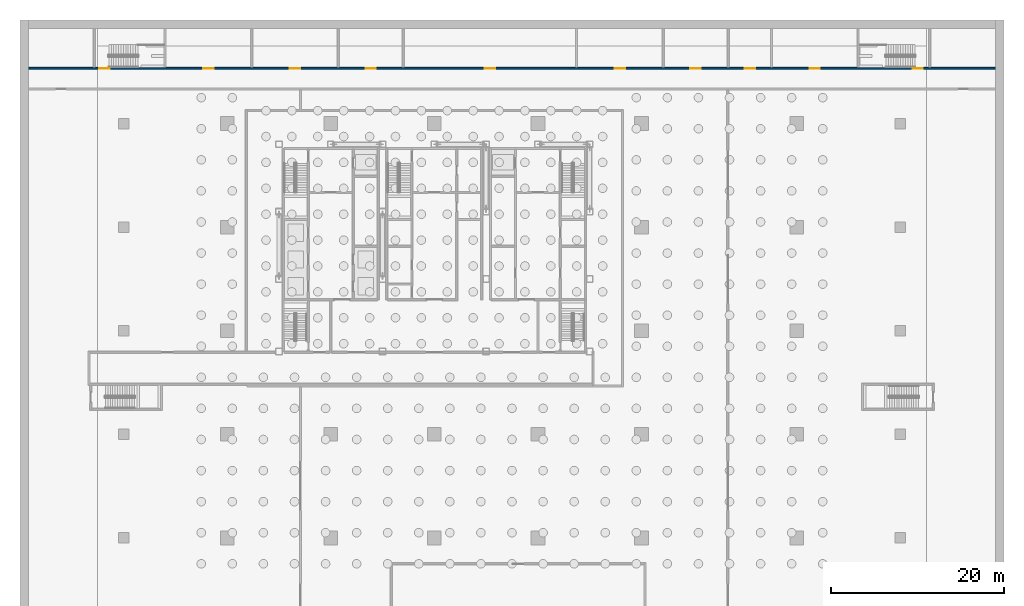
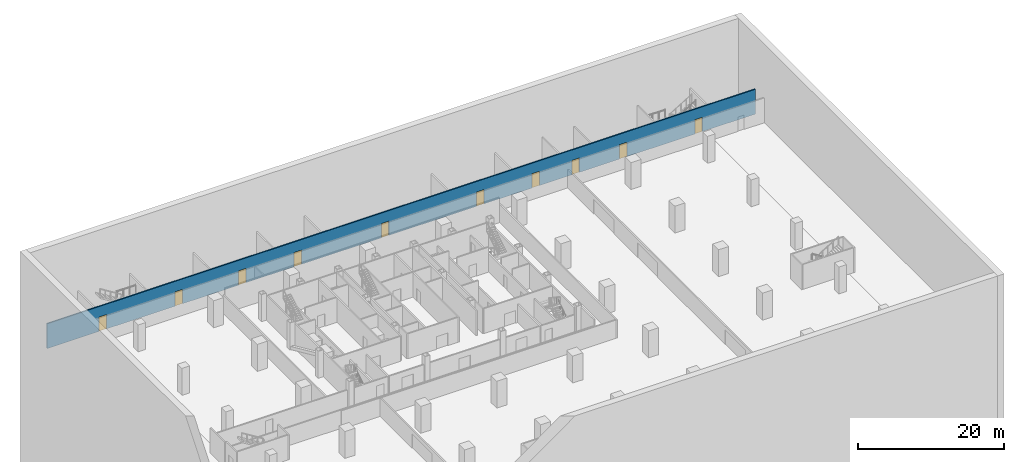
# One storey, part 12 of 18: 10 doors, 1 wall, 10 openings.
"""IFC4 building model written with IfcOpenShell, lengths in metres."""

from ifc_helpers import new_model, si_unit, direction, frame, frame_2d, origin, place, context, subcontext, project, spatial, rectangle, extrude, material, layer, layer_set, type_object, element, fill, save


model = new_model("IFC4")

# Units and contexts
model_context = context("Model", 3, precision=1e-05, world=origin(), true_north=direction((0.0, 1.0)))
body_context = subcontext(model_context, "Body", "Model", "MODEL_VIEW")
ifc_project = project(units=[si_unit("LENGTHUNIT", "METRE"), si_unit("AREAUNIT", "SQUARE_METRE"), si_unit("VOLUMEUNIT", "CUBIC_METRE"), si_unit("PLANEANGLEUNIT", "RADIAN"), si_unit("MASSUNIT", "GRAM", prefix="KILO")], contexts=[model_context])

# Site, building, storey
site_placement = place(None, origin())
site = spatial("IfcSite", under=ifc_project, at=site_placement, CompositionType="ELEMENT")
building_placement = place(site_placement, origin())
building = spatial("IfcBuilding", under=site, at=building_placement, Name="Sorahane Residences", CompositionType="ELEMENT")
storey_placement = place(building_placement, frame((0.0, 0.0, -13.5)))
storey = spatial("IfcBuildingStorey", under=building, at=storey_placement, Name="B3", CompositionType="ELEMENT", Elevation=-13.5)

# Wall, openings, doors
ifc_material_1 = material(Name="Concrete blockwork C20 wall", Category="masonry")
ifc_layer = layer(ifc_material_1, 0.199951171875)
ifc_layer_set = layer_set([ifc_layer], Name="Fire wall 200 EI 120")
wall_type = type_object("IfcWallType", Name="Fire wall 200 EI 120", PredefinedType="SOLIDWALL", material=ifc_layer_set)
wall_placement = place(storey_placement, frame((-23.0, 54.39990234375, 0.0), z_axis=(0.0, 0.0, 1.0), x_axis=(1.0, 0.0, 0.0)))
wall = element("IfcWall", 1, at=wall_placement, inside=storey, type_object=wall_type, Name="B3 fire wall", PredefinedType="SOLIDWALL", context=body_context, shape_type="SweptSolid", body=[
    extrude(rectangle(XDim=112.0, YDim=0.199951171875, at=frame_2d((56.0, 0.0))), origin(), (0.0, 0.0, 1.0), 4.14990234375),
])
opening_1_placement = place(wall_placement, frame((20.21875, 0.0, 0.0)))
opening_1 = element("IfcOpeningElement", 2, at=opening_1_placement, cuts=wall, Name="Opening B3-01", PredefinedType="OPENING", context=body_context, shape_type="SweptSolid", body=[
    extrude(rectangle(XDim=1.199951171875, YDim=2.39990234375, at=frame_2d((0.60009765625, 1.199951171875))), frame((0.0, 0.10986328125, 0.0), z_axis=(0.0, -1.0, 0.0), x_axis=(1.0, 0.0, 0.0)), (0.0, 0.0, 1.0), 0.219970703125),
])
opening_2_placement = place(wall_placement, frame((30.25634765625, 0.0, 0.0)))
opening_2 = element("IfcOpeningElement", 3, at=opening_2_placement, cuts=wall, Name="Opening B3-02", PredefinedType="OPENING", context=body_context, shape_type="SweptSolid", body=[
    extrude(rectangle(XDim=1.199951171875, YDim=2.39990234375, at=frame_2d((0.60009765625, 1.199951171875))), frame((0.0, 0.10986328125, 0.0), z_axis=(0.0, -1.0, 0.0), x_axis=(1.0, 0.0, 0.0)), (0.0, 0.0, 1.0), 0.219970703125),
])
opening_3_placement = place(wall_placement, frame((39.0390625, 0.0, 0.0)))
opening_3 = element("IfcOpeningElement", 4, at=opening_3_placement, cuts=wall, Name="Opening B3-03", PredefinedType="OPENING", context=body_context, shape_type="SweptSolid", body=[
    extrude(rectangle(XDim=1.199951171875, YDim=2.39990234375, at=frame_2d((0.60009765625, 1.199951171875))), frame((0.0, 0.10986328125, 0.0), z_axis=(0.0, -1.0, 0.0), x_axis=(1.0, 0.0, 0.0)), (0.0, 0.0, 1.0), 0.219970703125),
])
opening_4_placement = place(wall_placement, frame((52.840576171875, 0.0, 0.0)))
opening_4 = element("IfcOpeningElement", 5, at=opening_4_placement, cuts=wall, Name="Opening B3-04", PredefinedType="OPENING", context=body_context, shape_type="SweptSolid", body=[
    extrude(rectangle(XDim=1.199951171875, YDim=2.39990234375, at=frame_2d((0.60009765625, 1.199951171875))), frame((0.0, 0.10986328125, 0.0), z_axis=(0.0, -1.0, 0.0), x_axis=(1.0, 0.0, 0.0)), (0.0, 0.0, 1.0), 0.219970703125),
])
opening_5_placement = place(wall_placement, frame((67.89697265625, 0.0, 0.0)))
opening_5 = element("IfcOpeningElement", 6, at=opening_5_placement, cuts=wall, Name="Opening B3-05", PredefinedType="OPENING", context=body_context, shape_type="SweptSolid", body=[
    extrude(rectangle(XDim=1.199951171875, YDim=2.39990234375, at=frame_2d((0.60009765625, 1.199951171875))), frame((0.0, 0.10986328125, 0.0), z_axis=(0.0, -1.0, 0.0), x_axis=(1.0, 0.0, 0.0)), (0.0, 0.0, 1.0), 0.219970703125),
])
opening_6_placement = place(wall_placement, frame((76.6796875, 0.0, 0.0)))
opening_6 = element("IfcOpeningElement", 7, at=opening_6_placement, cuts=wall, Name="Opening B3-06", PredefinedType="OPENING", context=body_context, shape_type="SweptSolid", body=[
    extrude(rectangle(XDim=1.199951171875, YDim=2.39990234375, at=frame_2d((0.60009765625, 1.199951171875))), frame((0.0, 0.10986328125, 0.0), z_axis=(0.0, -1.0, 0.0), x_axis=(1.0, 0.0, 0.0)), (0.0, 0.0, 1.0), 0.219970703125),
])
opening_7_placement = place(wall_placement, frame((82.953125, 0.0, 0.0)))
opening_7 = element("IfcOpeningElement", 8, at=opening_7_placement, cuts=wall, Name="Opening B3-07", PredefinedType="OPENING", context=body_context, shape_type="SweptSolid", body=[
    extrude(rectangle(XDim=1.199951171875, YDim=2.39990234375, at=frame_2d((0.60009765625, 1.199951171875))), frame((0.0, 0.10986328125, 0.0), z_axis=(0.0, -1.0, 0.0), x_axis=(1.0, 0.0, 0.0)), (0.0, 0.0, 1.0), 0.219970703125),
])
opening_8_placement = place(wall_placement, frame((90.481201171875, 0.0, 0.0)))
opening_8 = element("IfcOpeningElement", 9, at=opening_8_placement, cuts=wall, Name="Opening B3-08", PredefinedType="OPENING", context=body_context, shape_type="SweptSolid", body=[
    extrude(rectangle(XDim=1.199951171875, YDim=2.39990234375, at=frame_2d((0.60009765625, 1.199951171875))), frame((0.0, 0.10986328125, 0.0), z_axis=(0.0, -1.0, 0.0), x_axis=(1.0, 0.0, 0.0)), (0.0, 0.0, 1.0), 0.219970703125),
])
opening_9_placement = place(wall_placement, frame((8.199951171875, 0.0, 0.0)))
opening_9 = element("IfcOpeningElement", 10, at=opening_9_placement, cuts=wall, Name="Opening B3-09", PredefinedType="OPENING", context=body_context, shape_type="SweptSolid", body=[
    extrude(rectangle(XDim=1.199951171875, YDim=2.39990234375, at=frame_2d((0.60009765625, 1.199951171875))), frame((0.0, 0.10986328125, 0.0), z_axis=(0.0, -1.0, 0.0), x_axis=(1.0, 0.0, 0.0)), (0.0, 0.0, 1.0), 0.219970703125),
])
opening_10_placement = place(wall_placement, frame((102.39990234375, 0.0, 0.0)))
opening_10 = element("IfcOpeningElement", 11, at=opening_10_placement, cuts=wall, Name="Opening B3-10", PredefinedType="OPENING", context=body_context, shape_type="SweptSolid", body=[
    extrude(rectangle(XDim=1.199951171875, YDim=2.39990234375, at=frame_2d((0.60009765625, 1.199951171875))), frame((0.0, 0.10986328125, 0.0), z_axis=(0.0, -1.0, 0.0), x_axis=(1.0, 0.0, 0.0)), (0.0, 0.0, 1.0), 0.219970703125),
])
ifc_material_2 = material(Name="Steel", Category="steel")
door_type_1 = type_object("IfcDoorType", Name="Plant door 1200x2400 FD60", OperationType="NOTDEFINED", PredefinedType="DOOR", material=ifc_material_2)
door_1_placement = place(opening_1_placement, origin())
door_1 = element("IfcDoor", 12, at=door_1_placement, inside=storey, type_object=door_type_1, Name="Plant door B3-01", OperationType="SINGLE_SWING_LEFT", OverallHeight=2.39990234375, OverallWidth=1.199951171875, PredefinedType="DOOR", context=body_context, shape_type="SweptSolid", body=[
    extrude(rectangle(XDim=1.199951171875, YDim=2.39990234375, at=frame_2d((0.60009765625, 1.199951171875))), frame((0.0, 0.02490234375, 0.0), z_axis=(0.0, -1.0, 0.0), x_axis=(1.0, 0.0, 0.0)), (0.0, 0.0, 1.0), 0.050048828125),
])
fill(opening_1, door_1)
door_2_placement = place(opening_2_placement, origin())
door_2 = element("IfcDoor", 13, at=door_2_placement, inside=storey, type_object=door_type_1, Name="Plant door B3-02", OperationType="SINGLE_SWING_RIGHT", OverallHeight=2.39990234375, OverallWidth=1.199951171875, PredefinedType="DOOR", context=body_context, shape_type="SweptSolid", body=[
    extrude(rectangle(XDim=1.199951171875, YDim=2.39990234375, at=frame_2d((0.60009765625, 1.199951171875))), frame((0.0, 0.02490234375, 0.0), z_axis=(0.0, -1.0, 0.0), x_axis=(1.0, 0.0, 0.0)), (0.0, 0.0, 1.0), 0.050048828125),
])
fill(opening_2, door_2)
door_3_placement = place(opening_3_placement, frame((1.199951171875, 0.0, 0.0), z_axis=(0.0, 0.0, 1.0), x_axis=(-1.0, 0.0, 0.0)))
door_3 = element("IfcDoor", 14, at=door_3_placement, inside=storey, type_object=door_type_1, Name="Plant door B3-03", OperationType="SINGLE_SWING_RIGHT", OverallHeight=2.39990234375, OverallWidth=1.199951171875, PredefinedType="DOOR", context=body_context, shape_type="SweptSolid", body=[
    extrude(rectangle(XDim=1.199951171875, YDim=2.39990234375, at=frame_2d((0.60009765625, 1.199951171875))), frame((0.0, 0.02490234375, 0.0), z_axis=(0.0, -1.0, 0.0), x_axis=(1.0, 0.0, 0.0)), (0.0, 0.0, 1.0), 0.050048828125),
])
fill(opening_3, door_3)
door_4_placement = place(opening_4_placement, frame((1.199951171875, 0.0, 0.0), z_axis=(0.0, 0.0, 1.0), x_axis=(-1.0, 0.0, 0.0)))
door_4 = element("IfcDoor", 15, at=door_4_placement, inside=storey, type_object=door_type_1, Name="Plant door B3-04", OperationType="SINGLE_SWING_LEFT", OverallHeight=2.39990234375, OverallWidth=1.199951171875, PredefinedType="DOOR", context=body_context, shape_type="SweptSolid", body=[
    extrude(rectangle(XDim=1.199951171875, YDim=2.39990234375, at=frame_2d((0.60009765625, 1.199951171875))), frame((0.0, 0.02490234375, 0.0), z_axis=(0.0, -1.0, 0.0), x_axis=(1.0, 0.0, 0.0)), (0.0, 0.0, 1.0), 0.050048828125),
])
fill(opening_4, door_4)
door_5_placement = place(opening_5_placement, origin())
door_5 = element("IfcDoor", 16, at=door_5_placement, inside=storey, type_object=door_type_1, Name="Plant door B3-05", OperationType="SINGLE_SWING_LEFT", OverallHeight=2.39990234375, OverallWidth=1.199951171875, PredefinedType="DOOR", context=body_context, shape_type="SweptSolid", body=[
    extrude(rectangle(XDim=1.199951171875, YDim=2.39990234375, at=frame_2d((0.60009765625, 1.199951171875))), frame((0.0, 0.02490234375, 0.0), z_axis=(0.0, -1.0, 0.0), x_axis=(1.0, 0.0, 0.0)), (0.0, 0.0, 1.0), 0.050048828125),
])
fill(opening_5, door_5)
door_6_placement = place(opening_6_placement, origin())
door_6 = element("IfcDoor", 17, at=door_6_placement, inside=storey, type_object=door_type_1, Name="Plant door B3-06", OperationType="SINGLE_SWING_RIGHT", OverallHeight=2.39990234375, OverallWidth=1.199951171875, PredefinedType="DOOR", context=body_context, shape_type="SweptSolid", body=[
    extrude(rectangle(XDim=1.199951171875, YDim=2.39990234375, at=frame_2d((0.60009765625, 1.199951171875))), frame((0.0, 0.02490234375, 0.0), z_axis=(0.0, -1.0, 0.0), x_axis=(1.0, 0.0, 0.0)), (0.0, 0.0, 1.0), 0.050048828125),
])
fill(opening_6, door_6)
door_7_placement = place(opening_7_placement, frame((1.199951171875, 0.0, 0.0), z_axis=(0.0, 0.0, 1.0), x_axis=(-1.0, 0.0, 0.0)))
door_7 = element("IfcDoor", 18, at=door_7_placement, inside=storey, type_object=door_type_1, Name="Plant door B3-07", OperationType="SINGLE_SWING_RIGHT", OverallHeight=2.39990234375, OverallWidth=1.199951171875, PredefinedType="DOOR", context=body_context, shape_type="SweptSolid", body=[
    extrude(rectangle(XDim=1.199951171875, YDim=2.39990234375, at=frame_2d((0.60009765625, 1.199951171875))), frame((0.0, 0.02490234375, 0.0), z_axis=(0.0, -1.0, 0.0), x_axis=(1.0, 0.0, 0.0)), (0.0, 0.0, 1.0), 0.050048828125),
])
fill(opening_7, door_7)
door_8_placement = place(opening_8_placement, frame((1.199951171875, 0.0, 0.0), z_axis=(0.0, 0.0, 1.0), x_axis=(-1.0, 0.0, 0.0)))
door_8 = element("IfcDoor", 19, at=door_8_placement, inside=storey, type_object=door_type_1, Name="Plant door B3-08", OperationType="SINGLE_SWING_LEFT", OverallHeight=2.39990234375, OverallWidth=1.199951171875, PredefinedType="DOOR", context=body_context, shape_type="SweptSolid", body=[
    extrude(rectangle(XDim=1.199951171875, YDim=2.39990234375, at=frame_2d((0.60009765625, 1.199951171875))), frame((0.0, 0.02490234375, 0.0), z_axis=(0.0, -1.0, 0.0), x_axis=(1.0, 0.0, 0.0)), (0.0, 0.0, 1.0), 0.050048828125),
])
fill(opening_8, door_8)
ifc_material_3 = material(Name="Steel", Category="steel")
door_type_2 = type_object("IfcDoorType", Name="Stair door 1200x2400 FD60", OperationType="NOTDEFINED", PredefinedType="DOOR", material=ifc_material_3)
door_9_placement = place(opening_9_placement, frame((1.199951171875, 0.0, 0.0), z_axis=(0.0, 0.0, 1.0), x_axis=(-1.0, 0.0, 0.0)))
door_9 = element("IfcDoor", 20, at=door_9_placement, inside=storey, type_object=door_type_2, Name="Stair door B3-09", OperationType="SINGLE_SWING_RIGHT", OverallHeight=2.39990234375, OverallWidth=1.199951171875, PredefinedType="DOOR", context=body_context, shape_type="SweptSolid", body=[
    extrude(rectangle(XDim=1.199951171875, YDim=2.39990234375, at=frame_2d((0.60009765625, 1.199951171875))), frame((0.0, 0.02490234375, 0.0), z_axis=(0.0, -1.0, 0.0), x_axis=(1.0, 0.0, 0.0)), (0.0, 0.0, 1.0), 0.050048828125),
])
fill(opening_9, door_9)
door_10_placement = place(opening_10_placement, frame((1.199951171875, 0.0, 0.0), z_axis=(0.0, 0.0, 1.0), x_axis=(-1.0, 0.0, 0.0)))
door_10 = element("IfcDoor", 21, at=door_10_placement, inside=storey, type_object=door_type_2, Name="Stair door B3-10", OperationType="SINGLE_SWING_LEFT", OverallHeight=2.39990234375, OverallWidth=1.199951171875, PredefinedType="DOOR", context=body_context, shape_type="SweptSolid", body=[
    extrude(rectangle(XDim=1.199951171875, YDim=2.39990234375, at=frame_2d((0.60009765625, 1.199951171875))), frame((0.0, 0.02490234375, 0.0), z_axis=(0.0, -1.0, 0.0), x_axis=(1.0, 0.0, 0.0)), (0.0, 0.0, 1.0), 0.050048828125),
])
fill(opening_10, door_10)

save(model, "model.ifc")
